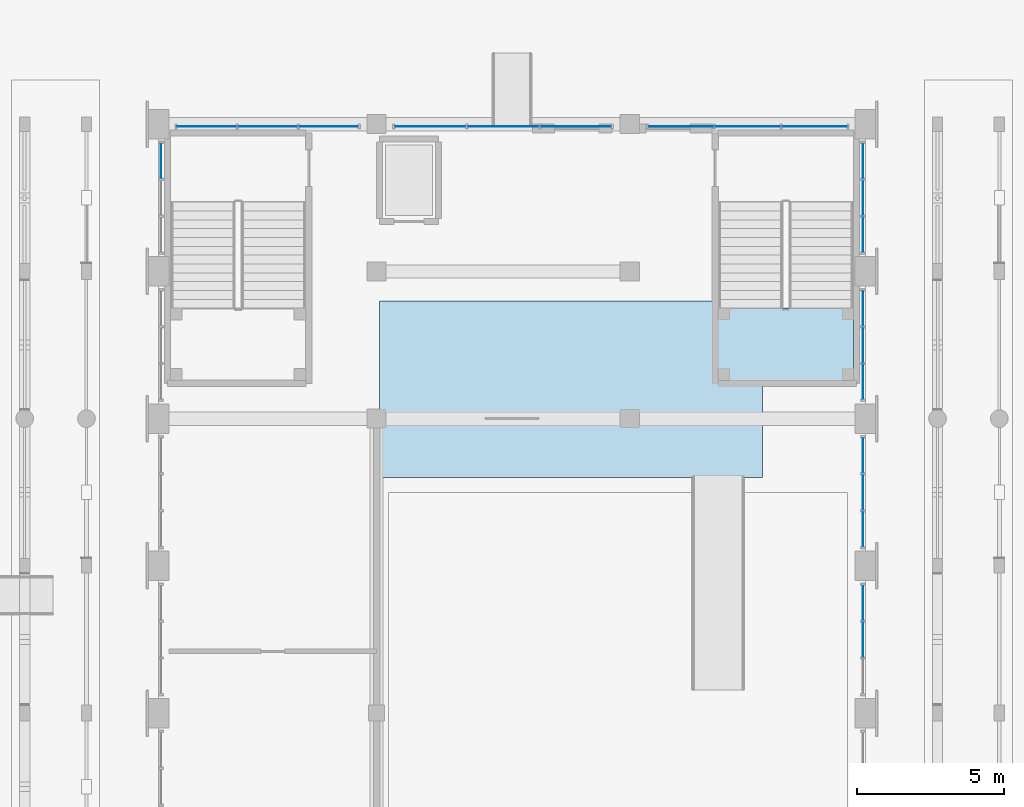
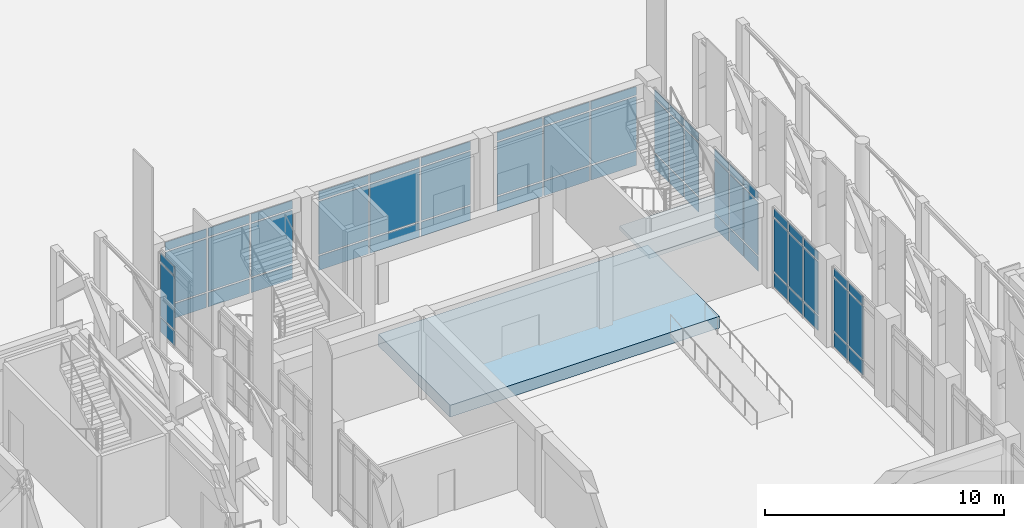
# One storey, part 69 of 135: 63 plates, 2 slabs, 9 elements without a shape of their own.
"""IFC4 building model written with IfcOpenShell, lengths in metres."""

from ifc_helpers import new_model, si_unit, direction, frame, origin, origin_2d, place, context, subcontext, project, spatial, polyline, rectangle, outline, extrude, material, layer, layer_set, type_object, element, aggregate, save


model = new_model("IFC4")

# Units and contexts
model_context = context("Model", 3, precision=1e-05, world=origin(), true_north=direction((0.0, 1.0)))
body_context = subcontext(model_context, "Body", "Model", "MODEL_VIEW")
ifc_project = project(units=[si_unit("LENGTHUNIT", "METRE"), si_unit("AREAUNIT", "SQUARE_METRE"), si_unit("VOLUMEUNIT", "CUBIC_METRE"), si_unit("PLANEANGLEUNIT", "RADIAN"), si_unit("MASSUNIT", "GRAM", prefix="KILO")], contexts=[model_context])

# Site, building, storey
site_placement = place(None, origin())
site = spatial("IfcSite", under=ifc_project, at=site_placement, CompositionType="ELEMENT")
building_placement = place(site_placement, origin())
building = spatial("IfcBuilding", under=site, at=building_placement, Name="Kiranvali Square Residences", CompositionType="ELEMENT")
storey_placement = place(building_placement, origin())
storey = spatial("IfcBuildingStorey", under=building, at=storey_placement, Name="L00", CompositionType="ELEMENT", Elevation=0.0)

# Curtain wall, plates
ifc_material_1 = material(Name="Anodised bronze aluminium framing", Category="aluminium")
curtain_wall_type = type_object("IfcCurtainWallType", Name="CW-CH-GLZ", PredefinedType="USERDEFINED", material=ifc_material_1)
curtain_wall_1_placement = place(storey_placement, origin())
curtain_wall_1 = element("IfcCurtainWall", 1, at=curtain_wall_1_placement, inside=storey, type_object=curtain_wall_type, Name="Community Hall L00 E glazed arcade bay 5", ObjectType="CURTAIN WALL", PredefinedType="USERDEFINED")
ifc_material_2 = material(Name="Solar-control low-e double glazing", Category="glass")
ifc_layer_1 = layer(ifc_material_2, 0.028076171875)
ifc_layer_set_1 = layer_set([ifc_layer_1], Name="Solar-control low-e double glazing")
plate_type_1 = type_object("IfcPlateType", Name="PLT-CW-GLZ", PredefinedType="CURTAIN_PANEL", material=ifc_layer_set_1)
plate_1_placement = place(storey_placement, frame((95.919921875, 66.5, 0.89013671875), z_axis=(0.0, 0.0, 1.0), x_axis=(0.0, 1.0, 0.0)))
plate_1 = element("IfcPlate", 2, at=plate_1_placement, type_object=plate_type_1, Name="CW-CH-L00-E5 glazed panel 2.2", PredefinedType="CURTAIN_PANEL", context=body_context, shape_type="SweptSolid", body=[
    extrude(rectangle(XDim=1.166748046875, YDim=0.028076171875, at=origin_2d()), origin(), (0.0, 0.0, 1.0), 2.699951171875),
])
plate_2_placement = place(storey_placement, frame((95.919921875, 66.5, 3.669921875), z_axis=(0.0, 0.0, 1.0), x_axis=(0.0, 1.0, 0.0)))
plate_2 = element("IfcPlate", 3, at=plate_2_placement, type_object=plate_type_1, Name="CW-CH-L00-E5 glazed panel 2.3", PredefinedType="CURTAIN_PANEL", context=body_context, shape_type="SweptSolid", body=[
    extrude(rectangle(XDim=1.166748046875, YDim=0.028076171875, at=origin_2d()), origin(), (0.0, 0.0, 1.0), 0.429931640625),
])
plate_3_placement = place(storey_placement, frame((95.919921875, 67.74658203125, 0.89013671875), z_axis=(0.0, 0.0, 1.0), x_axis=(0.0, 1.0, 0.0)))
plate_3 = element("IfcPlate", 4, at=plate_3_placement, type_object=plate_type_1, Name="CW-CH-L00-E5 glazed panel 3.2", PredefinedType="CURTAIN_PANEL", context=body_context, shape_type="SweptSolid", body=[
    extrude(rectangle(XDim=1.166748046875, YDim=0.028076171875, at=origin_2d()), origin(), (0.0, 0.0, 1.0), 2.699951171875),
])
plate_4_placement = place(storey_placement, frame((95.919921875, 67.74658203125, 3.669921875), z_axis=(0.0, 0.0, 1.0), x_axis=(0.0, 1.0, 0.0)))
plate_4 = element("IfcPlate", 5, at=plate_4_placement, type_object=plate_type_1, Name="CW-CH-L00-E5 glazed panel 3.3", PredefinedType="CURTAIN_PANEL", context=body_context, shape_type="SweptSolid", body=[
    extrude(rectangle(XDim=1.166748046875, YDim=0.028076171875, at=origin_2d()), origin(), (0.0, 0.0, 1.0), 0.429931640625),
])

curtain_wall_2_placement = place(storey_placement, origin())
curtain_wall_2 = element("IfcCurtainWall", 6, at=curtain_wall_2_placement, inside=storey, type_object=curtain_wall_type, Name="Community Hall L00 E glazed arcade bay 6", ObjectType="CURTAIN WALL", PredefinedType="USERDEFINED")
plate_5_placement = place(storey_placement, frame((95.919921875, 70.25341796875, 0.89013671875), z_axis=(0.0, 0.0, 1.0), x_axis=(0.0, 1.0, 0.0)))
plate_5 = element("IfcPlate", 7, at=plate_5_placement, type_object=plate_type_1, Name="CW-CH-L00-E6 glazed panel 1.2", PredefinedType="CURTAIN_PANEL", context=body_context, shape_type="SweptSolid", body=[
    extrude(rectangle(XDim=1.166748046875, YDim=0.028076171875, at=origin_2d()), origin(), (0.0, 0.0, 1.0), 2.699951171875),
])
plate_6_placement = place(storey_placement, frame((95.919921875, 70.25341796875, 3.669921875), z_axis=(0.0, 0.0, 1.0), x_axis=(0.0, 1.0, 0.0)))
plate_6 = element("IfcPlate", 8, at=plate_6_placement, type_object=plate_type_1, Name="CW-CH-L00-E6 glazed panel 1.3", PredefinedType="CURTAIN_PANEL", context=body_context, shape_type="SweptSolid", body=[
    extrude(rectangle(XDim=1.166748046875, YDim=0.028076171875, at=origin_2d()), origin(), (0.0, 0.0, 1.0), 0.429931640625),
])
plate_7_placement = place(storey_placement, frame((95.919921875, 71.5, 0.89013671875), z_axis=(0.0, 0.0, 1.0), x_axis=(0.0, 1.0, 0.0)))
plate_7 = element("IfcPlate", 9, at=plate_7_placement, type_object=plate_type_1, Name="CW-CH-L00-E6 glazed panel 2.2", PredefinedType="CURTAIN_PANEL", context=body_context, shape_type="SweptSolid", body=[
    extrude(rectangle(XDim=1.166748046875, YDim=0.028076171875, at=origin_2d()), origin(), (0.0, 0.0, 1.0), 2.699951171875),
])
plate_8_placement = place(storey_placement, frame((95.919921875, 71.5, 3.669921875), z_axis=(0.0, 0.0, 1.0), x_axis=(0.0, 1.0, 0.0)))
plate_8 = element("IfcPlate", 10, at=plate_8_placement, type_object=plate_type_1, Name="CW-CH-L00-E6 glazed panel 2.3", PredefinedType="CURTAIN_PANEL", context=body_context, shape_type="SweptSolid", body=[
    extrude(rectangle(XDim=1.166748046875, YDim=0.028076171875, at=origin_2d()), origin(), (0.0, 0.0, 1.0), 0.429931640625),
])
plate_9_placement = place(storey_placement, frame((95.919921875, 72.74658203125, 0.89013671875), z_axis=(0.0, 0.0, 1.0), x_axis=(0.0, 1.0, 0.0)))
plate_9 = element("IfcPlate", 11, at=plate_9_placement, type_object=plate_type_1, Name="CW-CH-L00-E6 glazed panel 3.2", PredefinedType="CURTAIN_PANEL", context=body_context, shape_type="SweptSolid", body=[
    extrude(rectangle(XDim=1.166748046875, YDim=0.028076171875, at=origin_2d()), origin(), (0.0, 0.0, 1.0), 2.699951171875),
])
plate_10_placement = place(storey_placement, frame((95.919921875, 72.74658203125, 3.669921875), z_axis=(0.0, 0.0, 1.0), x_axis=(0.0, 1.0, 0.0)))
plate_10 = element("IfcPlate", 12, at=plate_10_placement, type_object=plate_type_1, Name="CW-CH-L00-E6 glazed panel 3.3", PredefinedType="CURTAIN_PANEL", context=body_context, shape_type="SweptSolid", body=[
    extrude(rectangle(XDim=1.166748046875, YDim=0.028076171875, at=origin_2d()), origin(), (0.0, 0.0, 1.0), 0.429931640625),
])

curtain_wall_3_placement = place(storey_placement, origin())
curtain_wall_3 = element("IfcCurtainWall", 13, at=curtain_wall_3_placement, inside=storey, type_object=curtain_wall_type, Name="Community Hall L00 E glazed arcade bay 7", ObjectType="CURTAIN WALL", PredefinedType="USERDEFINED")
plate_11_placement = place(storey_placement, frame((95.919921875, 75.25341796875, 0.89013671875), z_axis=(0.0, 0.0, 1.0), x_axis=(0.0, 1.0, 0.0)))
plate_11 = element("IfcPlate", 14, at=plate_11_placement, type_object=plate_type_1, Name="CW-CH-L00-E7 glazed panel 1.2", PredefinedType="CURTAIN_PANEL", context=body_context, shape_type="SweptSolid", body=[
    extrude(rectangle(XDim=1.166748046875, YDim=0.028076171875, at=origin_2d()), origin(), (0.0, 0.0, 1.0), 2.699951171875),
])
plate_12_placement = place(storey_placement, frame((95.919921875, 75.25341796875, 3.669921875), z_axis=(0.0, 0.0, 1.0), x_axis=(0.0, 1.0, 0.0)))
plate_12 = element("IfcPlate", 15, at=plate_12_placement, type_object=plate_type_1, Name="CW-CH-L00-E7 glazed panel 1.3", PredefinedType="CURTAIN_PANEL", context=body_context, shape_type="SweptSolid", body=[
    extrude(rectangle(XDim=1.166748046875, YDim=0.028076171875, at=origin_2d()), origin(), (0.0, 0.0, 1.0), 0.429931640625),
])
plate_13_placement = place(storey_placement, frame((95.919921875, 76.5, 0.89013671875), z_axis=(0.0, 0.0, 1.0), x_axis=(0.0, 1.0, 0.0)))
plate_13 = element("IfcPlate", 16, at=plate_13_placement, type_object=plate_type_1, Name="CW-CH-L00-E7 glazed panel 2.2", PredefinedType="CURTAIN_PANEL", context=body_context, shape_type="SweptSolid", body=[
    extrude(rectangle(XDim=1.166748046875, YDim=0.028076171875, at=origin_2d()), origin(), (0.0, 0.0, 1.0), 2.699951171875),
])
plate_14_placement = place(storey_placement, frame((95.919921875, 76.5, 3.669921875), z_axis=(0.0, 0.0, 1.0), x_axis=(0.0, 1.0, 0.0)))
plate_14 = element("IfcPlate", 17, at=plate_14_placement, type_object=plate_type_1, Name="CW-CH-L00-E7 glazed panel 2.3", PredefinedType="CURTAIN_PANEL", context=body_context, shape_type="SweptSolid", body=[
    extrude(rectangle(XDim=1.166748046875, YDim=0.028076171875, at=origin_2d()), origin(), (0.0, 0.0, 1.0), 0.429931640625),
])
plate_15_placement = place(storey_placement, frame((95.919921875, 77.74658203125, 0.89013671875), z_axis=(0.0, 0.0, 1.0), x_axis=(0.0, 1.0, 0.0)))
plate_15 = element("IfcPlate", 18, at=plate_15_placement, type_object=plate_type_1, Name="CW-CH-L00-E7 glazed panel 3.2", PredefinedType="CURTAIN_PANEL", context=body_context, shape_type="SweptSolid", body=[
    extrude(rectangle(XDim=1.166748046875, YDim=0.028076171875, at=origin_2d()), origin(), (0.0, 0.0, 1.0), 2.699951171875),
])
plate_16_placement = place(storey_placement, frame((95.919921875, 77.74658203125, 3.669921875), z_axis=(0.0, 0.0, 1.0), x_axis=(0.0, 1.0, 0.0)))
plate_16 = element("IfcPlate", 19, at=plate_16_placement, type_object=plate_type_1, Name="CW-CH-L00-E7 glazed panel 3.3", PredefinedType="CURTAIN_PANEL", context=body_context, shape_type="SweptSolid", body=[
    extrude(rectangle(XDim=1.166748046875, YDim=0.028076171875, at=origin_2d()), origin(), (0.0, 0.0, 1.0), 0.429931640625),
])

curtain_wall_4_placement = place(storey_placement, origin())
curtain_wall_4 = element("IfcCurtainWall", 20, at=curtain_wall_4_placement, inside=storey, type_object=curtain_wall_type, Name="Community Hall L00 W glazed arcade bay 8", ObjectType="CURTAIN WALL", PredefinedType="USERDEFINED")
plate_17_placement = place(storey_placement, frame((72.080078125, 82.74658203125, 0.89013671875), z_axis=(0.0, 0.0, 1.0), x_axis=(0.0, 1.0, 0.0)))
plate_17 = element("IfcPlate", 21, at=plate_17_placement, type_object=plate_type_1, Name="CW-CH-L00-W8 glazed panel 3.2", PredefinedType="CURTAIN_PANEL", context=body_context, shape_type="SweptSolid", body=[
    extrude(rectangle(XDim=1.166748046875, YDim=0.028076171875, at=origin_2d()), origin(), (0.0, 0.0, 1.0), 2.699951171875),
])
plate_18_placement = place(storey_placement, frame((72.080078125, 82.74658203125, 3.669921875), z_axis=(0.0, 0.0, 1.0), x_axis=(0.0, 1.0, 0.0)))
plate_18 = element("IfcPlate", 22, at=plate_18_placement, type_object=plate_type_1, Name="CW-CH-L00-W8 glazed panel 3.3", PredefinedType="CURTAIN_PANEL", context=body_context, shape_type="SweptSolid", body=[
    extrude(rectangle(XDim=1.166748046875, YDim=0.028076171875, at=origin_2d()), origin(), (0.0, 0.0, 1.0), 0.429931640625),
])

curtain_wall_5_placement = place(storey_placement, origin())
curtain_wall_5 = element("IfcCurtainWall", 23, at=curtain_wall_5_placement, inside=storey, type_object=curtain_wall_type, Name="Community Hall L00 E glazed arcade bay 8", ObjectType="CURTAIN WALL", PredefinedType="USERDEFINED")
plate_19_placement = place(storey_placement, frame((95.919921875, 80.25341796875, 0.89013671875), z_axis=(0.0, 0.0, 1.0), x_axis=(0.0, 1.0, 0.0)))
plate_19 = element("IfcPlate", 24, at=plate_19_placement, type_object=plate_type_1, Name="CW-CH-L00-E8 glazed panel 1.2", PredefinedType="CURTAIN_PANEL", context=body_context, shape_type="SweptSolid", body=[
    extrude(rectangle(XDim=1.166748046875, YDim=0.028076171875, at=origin_2d()), origin(), (0.0, 0.0, 1.0), 2.699951171875),
])
plate_20_placement = place(storey_placement, frame((95.919921875, 80.25341796875, 3.669921875), z_axis=(0.0, 0.0, 1.0), x_axis=(0.0, 1.0, 0.0)))
plate_20 = element("IfcPlate", 25, at=plate_20_placement, type_object=plate_type_1, Name="CW-CH-L00-E8 glazed panel 1.3", PredefinedType="CURTAIN_PANEL", context=body_context, shape_type="SweptSolid", body=[
    extrude(rectangle(XDim=1.166748046875, YDim=0.028076171875, at=origin_2d()), origin(), (0.0, 0.0, 1.0), 0.429931640625),
])
plate_21_placement = place(storey_placement, frame((95.919921875, 81.5, 0.89013671875), z_axis=(0.0, 0.0, 1.0), x_axis=(0.0, 1.0, 0.0)))
plate_21 = element("IfcPlate", 26, at=plate_21_placement, type_object=plate_type_1, Name="CW-CH-L00-E8 glazed panel 2.2", PredefinedType="CURTAIN_PANEL", context=body_context, shape_type="SweptSolid", body=[
    extrude(rectangle(XDim=1.166748046875, YDim=0.028076171875, at=origin_2d()), origin(), (0.0, 0.0, 1.0), 2.699951171875),
])
plate_22_placement = place(storey_placement, frame((95.919921875, 81.5, 3.669921875), z_axis=(0.0, 0.0, 1.0), x_axis=(0.0, 1.0, 0.0)))
plate_22 = element("IfcPlate", 27, at=plate_22_placement, type_object=plate_type_1, Name="CW-CH-L00-E8 glazed panel 2.3", PredefinedType="CURTAIN_PANEL", context=body_context, shape_type="SweptSolid", body=[
    extrude(rectangle(XDim=1.166748046875, YDim=0.028076171875, at=origin_2d()), origin(), (0.0, 0.0, 1.0), 0.429931640625),
])
plate_23_placement = place(storey_placement, frame((95.919921875, 82.74658203125, 0.89013671875), z_axis=(0.0, 0.0, 1.0), x_axis=(0.0, 1.0, 0.0)))
plate_23 = element("IfcPlate", 28, at=plate_23_placement, type_object=plate_type_1, Name="CW-CH-L00-E8 glazed panel 3.2", PredefinedType="CURTAIN_PANEL", context=body_context, shape_type="SweptSolid", body=[
    extrude(rectangle(XDim=1.166748046875, YDim=0.028076171875, at=origin_2d()), origin(), (0.0, 0.0, 1.0), 2.699951171875),
])
plate_24_placement = place(storey_placement, frame((95.919921875, 82.74658203125, 3.669921875), z_axis=(0.0, 0.0, 1.0), x_axis=(0.0, 1.0, 0.0)))
plate_24 = element("IfcPlate", 29, at=plate_24_placement, type_object=plate_type_1, Name="CW-CH-L00-E8 glazed panel 3.3", PredefinedType="CURTAIN_PANEL", context=body_context, shape_type="SweptSolid", body=[
    extrude(rectangle(XDim=1.166748046875, YDim=0.028076171875, at=origin_2d()), origin(), (0.0, 0.0, 1.0), 0.429931640625),
])

curtain_wall_6_placement = place(storey_placement, origin())
curtain_wall_6 = element("IfcCurtainWall", 30, at=curtain_wall_6_placement, inside=storey, type_object=curtain_wall_type, Name="Community Hall N entrance portal bay 1", ObjectType="CURTAIN WALL", PredefinedType="USERDEFINED")
plate_25_placement = place(storey_placement, frame((73.63330078125, 83.919921875, 0.89013671875), z_axis=(0.0, 0.0, 1.0), x_axis=(1.0, 0.0, 0.0)))
plate_25 = element("IfcPlate", 31, at=plate_25_placement, type_object=plate_type_1, Name="CW-CH-GAB-N0-1 glazed panel 1.2", PredefinedType="CURTAIN_PANEL", context=body_context, shape_type="SweptSolid", body=[
    extrude(rectangle(XDim=1.98681640625, YDim=0.028076171875, at=origin_2d()), origin(), (0.0, 0.0, 1.0), 2.699951171875),
])
plate_26_placement = place(storey_placement, frame((73.63330078125, 83.919921875, 3.669921875), z_axis=(0.0, 0.0, 1.0), x_axis=(1.0, 0.0, 0.0)))
plate_26 = element("IfcPlate", 32, at=plate_26_placement, type_object=plate_type_1, Name="CW-CH-GAB-N0-1 glazed panel 1.3", PredefinedType="CURTAIN_PANEL", context=body_context, shape_type="SweptSolid", body=[
    extrude(rectangle(XDim=1.98681640625, YDim=0.028076171875, at=origin_2d()), origin(), (0.0, 0.0, 1.0), 0.429931640625),
])
plate_27_placement = place(storey_placement, frame((75.699951171875, 83.919921875, 0.89013671875), z_axis=(0.0, 0.0, 1.0), x_axis=(1.0, 0.0, 0.0)))
plate_27 = element("IfcPlate", 33, at=plate_27_placement, type_object=plate_type_1, Name="CW-CH-GAB-N0-1 glazed panel 2.2", PredefinedType="CURTAIN_PANEL", context=body_context, shape_type="SweptSolid", body=[
    extrude(rectangle(XDim=1.98681640625, YDim=0.028076171875, at=origin_2d()), origin(), (0.0, 0.0, 1.0), 2.699951171875),
])
plate_28_placement = place(storey_placement, frame((75.699951171875, 83.919921875, 3.669921875), z_axis=(0.0, 0.0, 1.0), x_axis=(1.0, 0.0, 0.0)))
plate_28 = element("IfcPlate", 34, at=plate_28_placement, type_object=plate_type_1, Name="CW-CH-GAB-N0-1 glazed panel 2.3", PredefinedType="CURTAIN_PANEL", context=body_context, shape_type="SweptSolid", body=[
    extrude(rectangle(XDim=1.98681640625, YDim=0.028076171875, at=origin_2d()), origin(), (0.0, 0.0, 1.0), 0.429931640625),
])
plate_29_placement = place(storey_placement, frame((77.7666015625, 83.919921875, 0.89013671875), z_axis=(0.0, 0.0, 1.0), x_axis=(1.0, 0.0, 0.0)))
plate_29 = element("IfcPlate", 35, at=plate_29_placement, type_object=plate_type_1, Name="CW-CH-GAB-N0-1 glazed panel 3.2", PredefinedType="CURTAIN_PANEL", context=body_context, shape_type="SweptSolid", body=[
    extrude(rectangle(XDim=1.98681640625, YDim=0.028076171875, at=origin_2d()), origin(), (0.0, 0.0, 1.0), 2.699951171875),
])
plate_30_placement = place(storey_placement, frame((77.7666015625, 83.919921875, 3.669921875), z_axis=(0.0, 0.0, 1.0), x_axis=(1.0, 0.0, 0.0)))
plate_30 = element("IfcPlate", 36, at=plate_30_placement, type_object=plate_type_1, Name="CW-CH-GAB-N0-1 glazed panel 3.3", PredefinedType="CURTAIN_PANEL", context=body_context, shape_type="SweptSolid", body=[
    extrude(rectangle(XDim=1.98681640625, YDim=0.028076171875, at=origin_2d()), origin(), (0.0, 0.0, 1.0), 0.429931640625),
])

curtain_wall_7_placement = place(storey_placement, origin())
curtain_wall_7 = element("IfcCurtainWall", 37, at=curtain_wall_7_placement, inside=storey, type_object=curtain_wall_type, Name="Community Hall N entrance portal bay 2", ObjectType="CURTAIN WALL", PredefinedType="USERDEFINED")
plate_31_placement = place(storey_placement, frame((81.2333984375, 83.919921875, 0.89013671875), z_axis=(0.0, 0.0, 1.0), x_axis=(1.0, 0.0, 0.0)))
plate_31 = element("IfcPlate", 38, at=plate_31_placement, type_object=plate_type_1, Name="CW-CH-GAB-N0-2 glazed panel 1.2", PredefinedType="CURTAIN_PANEL", context=body_context, shape_type="SweptSolid", body=[
    extrude(rectangle(XDim=2.38671875, YDim=0.028076171875, at=origin_2d()), origin(), (0.0, 0.0, 1.0), 2.699951171875),
])
plate_32_placement = place(storey_placement, frame((81.2333984375, 83.919921875, 3.669921875), z_axis=(0.0, 0.0, 1.0), x_axis=(1.0, 0.0, 0.0)))
plate_32 = element("IfcPlate", 39, at=plate_32_placement, type_object=plate_type_1, Name="CW-CH-GAB-N0-2 glazed panel 1.3", PredefinedType="CURTAIN_PANEL", context=body_context, shape_type="SweptSolid", body=[
    extrude(rectangle(XDim=2.38671875, YDim=0.028076171875, at=origin_2d()), origin(), (0.0, 0.0, 1.0), 0.429931640625),
])
plate_33_placement = place(storey_placement, frame((83.699951171875, 83.919921875, 0.89013671875), z_axis=(0.0, 0.0, 1.0), x_axis=(1.0, 0.0, 0.0)))
plate_33 = element("IfcPlate", 40, at=plate_33_placement, type_object=plate_type_1, Name="CW-CH-GAB-N0-2 glazed panel 2.2", PredefinedType="CURTAIN_PANEL", context=body_context, shape_type="SweptSolid", body=[
    extrude(rectangle(XDim=2.38671875, YDim=0.028076171875, at=origin_2d()), origin(), (0.0, 0.0, 1.0), 2.699951171875),
])
plate_34_placement = place(storey_placement, frame((83.699951171875, 83.919921875, 3.669921875), z_axis=(0.0, 0.0, 1.0), x_axis=(1.0, 0.0, 0.0)))
plate_34 = element("IfcPlate", 41, at=plate_34_placement, type_object=plate_type_1, Name="CW-CH-GAB-N0-2 glazed panel 2.3", PredefinedType="CURTAIN_PANEL", context=body_context, shape_type="SweptSolid", body=[
    extrude(rectangle(XDim=2.38671875, YDim=0.028076171875, at=origin_2d()), origin(), (0.0, 0.0, 1.0), 0.429931640625),
])
plate_35_placement = place(storey_placement, frame((86.166748046875, 83.919921875, 0.89013671875), z_axis=(0.0, 0.0, 1.0), x_axis=(1.0, 0.0, 0.0)))
plate_35 = element("IfcPlate", 42, at=plate_35_placement, type_object=plate_type_1, Name="CW-CH-GAB-N0-2 glazed panel 3.2", PredefinedType="CURTAIN_PANEL", context=body_context, shape_type="SweptSolid", body=[
    extrude(rectangle(XDim=2.38671875, YDim=0.028076171875, at=origin_2d()), origin(), (0.0, 0.0, 1.0), 2.699951171875),
])
plate_36_placement = place(storey_placement, frame((86.166748046875, 83.919921875, 3.669921875), z_axis=(0.0, 0.0, 1.0), x_axis=(1.0, 0.0, 0.0)))
plate_36 = element("IfcPlate", 43, at=plate_36_placement, type_object=plate_type_1, Name="CW-CH-GAB-N0-2 glazed panel 3.3", PredefinedType="CURTAIN_PANEL", context=body_context, shape_type="SweptSolid", body=[
    extrude(rectangle(XDim=2.38671875, YDim=0.028076171875, at=origin_2d()), origin(), (0.0, 0.0, 1.0), 0.429931640625),
])

curtain_wall_8_placement = place(storey_placement, origin())
curtain_wall_8 = element("IfcCurtainWall", 44, at=curtain_wall_8_placement, inside=storey, type_object=curtain_wall_type, Name="Community Hall N entrance portal bay 3", ObjectType="CURTAIN WALL", PredefinedType="USERDEFINED")
plate_37_placement = place(storey_placement, frame((89.7333984375, 83.919921875, 0.89013671875), z_axis=(0.0, 0.0, 1.0), x_axis=(1.0, 0.0, 0.0)))
plate_37 = element("IfcPlate", 45, at=plate_37_placement, type_object=plate_type_1, Name="CW-CH-GAB-N0-3 glazed panel 1.2", PredefinedType="CURTAIN_PANEL", context=body_context, shape_type="SweptSolid", body=[
    extrude(rectangle(XDim=2.186767578125, YDim=0.028076171875, at=origin_2d()), origin(), (0.0, 0.0, 1.0), 2.699951171875),
])
plate_38_placement = place(storey_placement, frame((89.7333984375, 83.919921875, 3.669921875), z_axis=(0.0, 0.0, 1.0), x_axis=(1.0, 0.0, 0.0)))
plate_38 = element("IfcPlate", 46, at=plate_38_placement, type_object=plate_type_1, Name="CW-CH-GAB-N0-3 glazed panel 1.3", PredefinedType="CURTAIN_PANEL", context=body_context, shape_type="SweptSolid", body=[
    extrude(rectangle(XDim=2.186767578125, YDim=0.028076171875, at=origin_2d()), origin(), (0.0, 0.0, 1.0), 0.429931640625),
])
plate_39_placement = place(storey_placement, frame((92.0, 83.919921875, 0.89013671875), z_axis=(0.0, 0.0, 1.0), x_axis=(1.0, 0.0, 0.0)))
plate_39 = element("IfcPlate", 47, at=plate_39_placement, type_object=plate_type_1, Name="CW-CH-GAB-N0-3 glazed panel 2.2", PredefinedType="CURTAIN_PANEL", context=body_context, shape_type="SweptSolid", body=[
    extrude(rectangle(XDim=2.186767578125, YDim=0.028076171875, at=origin_2d()), origin(), (0.0, 0.0, 1.0), 2.699951171875),
])
plate_40_placement = place(storey_placement, frame((92.0, 83.919921875, 3.669921875), z_axis=(0.0, 0.0, 1.0), x_axis=(1.0, 0.0, 0.0)))
plate_40 = element("IfcPlate", 48, at=plate_40_placement, type_object=plate_type_1, Name="CW-CH-GAB-N0-3 glazed panel 2.3", PredefinedType="CURTAIN_PANEL", context=body_context, shape_type="SweptSolid", body=[
    extrude(rectangle(XDim=2.186767578125, YDim=0.028076171875, at=origin_2d()), origin(), (0.0, 0.0, 1.0), 0.429931640625),
])
plate_41_placement = place(storey_placement, frame((94.2666015625, 83.919921875, 0.89013671875), z_axis=(0.0, 0.0, 1.0), x_axis=(1.0, 0.0, 0.0)))
plate_41 = element("IfcPlate", 49, at=plate_41_placement, type_object=plate_type_1, Name="CW-CH-GAB-N0-3 glazed panel 3.2", PredefinedType="CURTAIN_PANEL", context=body_context, shape_type="SweptSolid", body=[
    extrude(rectangle(XDim=2.186767578125, YDim=0.028076171875, at=origin_2d()), origin(), (0.0, 0.0, 1.0), 2.699951171875),
])
plate_42_placement = place(storey_placement, frame((94.2666015625, 83.919921875, 3.669921875), z_axis=(0.0, 0.0, 1.0), x_axis=(1.0, 0.0, 0.0)))
plate_42 = element("IfcPlate", 50, at=plate_42_placement, type_object=plate_type_1, Name="CW-CH-GAB-N0-3 glazed panel 3.3", PredefinedType="CURTAIN_PANEL", context=body_context, shape_type="SweptSolid", body=[
    extrude(rectangle(XDim=2.186767578125, YDim=0.028076171875, at=origin_2d()), origin(), (0.0, 0.0, 1.0), 0.429931640625),
])

# Plate
ifc_material_3 = material(Name="Honed Porbandar limestone ashlar facade cladding", Category="masonry")
ifc_layer_2 = layer(ifc_material_3, 0.02392578125)
ifc_layer_set_2 = layer_set([ifc_layer_2], Name="Honed Porbandar limestone ashlar facade cladding")
plate_type_2 = type_object("IfcPlateType", Name="PLT-CW-SPN", PredefinedType="SHEET", material=ifc_layer_set_2)
plate_43_placement = place(storey_placement, frame((95.919921875, 66.5, 0.080078125), z_axis=(0.0, 0.0, 1.0), x_axis=(0.0, 1.0, 0.0)))
plate_43 = element("IfcPlate", 51, at=plate_43_placement, type_object=plate_type_2, Name="CW-CH-L00-E5 spandrel panel 2.1", PredefinedType="SHEET", context=body_context, shape_type="SweptSolid", body=[
    extrude(rectangle(XDim=1.166748046875, YDim=0.02392578125, at=origin_2d()), origin(), (0.0, 0.0, 1.0), 0.72998046875),
])

plate_44_placement = place(storey_placement, frame((95.919921875, 67.74658203125, 0.080078125), z_axis=(0.0, 0.0, 1.0), x_axis=(0.0, 1.0, 0.0)))
plate_44 = element("IfcPlate", 52, at=plate_44_placement, type_object=plate_type_2, Name="CW-CH-L00-E5 spandrel panel 3.1", PredefinedType="SHEET", context=body_context, shape_type="SweptSolid", body=[
    extrude(rectangle(XDim=1.166748046875, YDim=0.02392578125, at=origin_2d()), origin(), (0.0, 0.0, 1.0), 0.72998046875),
])

aggregate(curtain_wall_1, [plate_43, plate_1, plate_2, plate_44, plate_3, plate_4])

plate_45_placement = place(storey_placement, frame((95.919921875, 70.25341796875, 0.080078125), z_axis=(0.0, 0.0, 1.0), x_axis=(0.0, 1.0, 0.0)))
plate_45 = element("IfcPlate", 53, at=plate_45_placement, type_object=plate_type_2, Name="CW-CH-L00-E6 spandrel panel 1.1", PredefinedType="SHEET", context=body_context, shape_type="SweptSolid", body=[
    extrude(rectangle(XDim=1.166748046875, YDim=0.02392578125, at=origin_2d()), origin(), (0.0, 0.0, 1.0), 0.72998046875),
])

plate_46_placement = place(storey_placement, frame((95.919921875, 71.5, 0.080078125), z_axis=(0.0, 0.0, 1.0), x_axis=(0.0, 1.0, 0.0)))
plate_46 = element("IfcPlate", 54, at=plate_46_placement, type_object=plate_type_2, Name="CW-CH-L00-E6 spandrel panel 2.1", PredefinedType="SHEET", context=body_context, shape_type="SweptSolid", body=[
    extrude(rectangle(XDim=1.166748046875, YDim=0.02392578125, at=origin_2d()), origin(), (0.0, 0.0, 1.0), 0.72998046875),
])

plate_47_placement = place(storey_placement, frame((95.919921875, 72.74658203125, 0.080078125), z_axis=(0.0, 0.0, 1.0), x_axis=(0.0, 1.0, 0.0)))
plate_47 = element("IfcPlate", 55, at=plate_47_placement, type_object=plate_type_2, Name="CW-CH-L00-E6 spandrel panel 3.1", PredefinedType="SHEET", context=body_context, shape_type="SweptSolid", body=[
    extrude(rectangle(XDim=1.166748046875, YDim=0.02392578125, at=origin_2d()), origin(), (0.0, 0.0, 1.0), 0.72998046875),
])

aggregate(curtain_wall_2, [plate_45, plate_5, plate_6, plate_46, plate_7, plate_8, plate_47, plate_9, plate_10])

plate_48_placement = place(storey_placement, frame((95.919921875, 75.25341796875, 0.080078125), z_axis=(0.0, 0.0, 1.0), x_axis=(0.0, 1.0, 0.0)))
plate_48 = element("IfcPlate", 56, at=plate_48_placement, type_object=plate_type_2, Name="CW-CH-L00-E7 spandrel panel 1.1", PredefinedType="SHEET", context=body_context, shape_type="SweptSolid", body=[
    extrude(rectangle(XDim=1.166748046875, YDim=0.02392578125, at=origin_2d()), origin(), (0.0, 0.0, 1.0), 0.72998046875),
])

plate_49_placement = place(storey_placement, frame((95.919921875, 76.5, 0.080078125), z_axis=(0.0, 0.0, 1.0), x_axis=(0.0, 1.0, 0.0)))
plate_49 = element("IfcPlate", 57, at=plate_49_placement, type_object=plate_type_2, Name="CW-CH-L00-E7 spandrel panel 2.1", PredefinedType="SHEET", context=body_context, shape_type="SweptSolid", body=[
    extrude(rectangle(XDim=1.166748046875, YDim=0.02392578125, at=origin_2d()), origin(), (0.0, 0.0, 1.0), 0.72998046875),
])

plate_50_placement = place(storey_placement, frame((95.919921875, 77.74658203125, 0.080078125), z_axis=(0.0, 0.0, 1.0), x_axis=(0.0, 1.0, 0.0)))
plate_50 = element("IfcPlate", 58, at=plate_50_placement, type_object=plate_type_2, Name="CW-CH-L00-E7 spandrel panel 3.1", PredefinedType="SHEET", context=body_context, shape_type="SweptSolid", body=[
    extrude(rectangle(XDim=1.166748046875, YDim=0.02392578125, at=origin_2d()), origin(), (0.0, 0.0, 1.0), 0.72998046875),
])

aggregate(curtain_wall_3, [plate_48, plate_11, plate_12, plate_49, plate_13, plate_14, plate_50, plate_15, plate_16])

plate_51_placement = place(storey_placement, frame((72.080078125, 82.74658203125, 0.080078125), z_axis=(0.0, 0.0, 1.0), x_axis=(0.0, 1.0, 0.0)))
plate_51 = element("IfcPlate", 59, at=plate_51_placement, type_object=plate_type_2, Name="CW-CH-L00-W8 spandrel panel 3.1", PredefinedType="SHEET", context=body_context, shape_type="SweptSolid", body=[
    extrude(rectangle(XDim=1.166748046875, YDim=0.02392578125, at=origin_2d()), origin(), (0.0, 0.0, 1.0), 0.72998046875),
])

aggregate(curtain_wall_4, [plate_51, plate_17, plate_18])

plate_52_placement = place(storey_placement, frame((95.919921875, 80.25341796875, 0.080078125), z_axis=(0.0, 0.0, 1.0), x_axis=(0.0, 1.0, 0.0)))
plate_52 = element("IfcPlate", 60, at=plate_52_placement, type_object=plate_type_2, Name="CW-CH-L00-E8 spandrel panel 1.1", PredefinedType="SHEET", context=body_context, shape_type="SweptSolid", body=[
    extrude(rectangle(XDim=1.166748046875, YDim=0.02392578125, at=origin_2d()), origin(), (0.0, 0.0, 1.0), 0.72998046875),
])

plate_53_placement = place(storey_placement, frame((95.919921875, 81.5, 0.080078125), z_axis=(0.0, 0.0, 1.0), x_axis=(0.0, 1.0, 0.0)))
plate_53 = element("IfcPlate", 61, at=plate_53_placement, type_object=plate_type_2, Name="CW-CH-L00-E8 spandrel panel 2.1", PredefinedType="SHEET", context=body_context, shape_type="SweptSolid", body=[
    extrude(rectangle(XDim=1.166748046875, YDim=0.02392578125, at=origin_2d()), origin(), (0.0, 0.0, 1.0), 0.72998046875),
])

plate_54_placement = place(storey_placement, frame((95.919921875, 82.74658203125, 0.080078125), z_axis=(0.0, 0.0, 1.0), x_axis=(0.0, 1.0, 0.0)))
plate_54 = element("IfcPlate", 62, at=plate_54_placement, type_object=plate_type_2, Name="CW-CH-L00-E8 spandrel panel 3.1", PredefinedType="SHEET", context=body_context, shape_type="SweptSolid", body=[
    extrude(rectangle(XDim=1.166748046875, YDim=0.02392578125, at=origin_2d()), origin(), (0.0, 0.0, 1.0), 0.72998046875),
])

aggregate(curtain_wall_5, [plate_52, plate_19, plate_20, plate_53, plate_21, plate_22, plate_54, plate_23, plate_24])

plate_55_placement = place(storey_placement, frame((73.63330078125, 83.919921875, 0.080078125), z_axis=(0.0, 0.0, 1.0), x_axis=(1.0, 0.0, 0.0)))
plate_55 = element("IfcPlate", 63, at=plate_55_placement, type_object=plate_type_2, Name="CW-CH-GAB-N0-1 spandrel panel 1.1", PredefinedType="SHEET", context=body_context, shape_type="SweptSolid", body=[
    extrude(rectangle(XDim=1.98681640625, YDim=0.02392578125, at=origin_2d()), origin(), (0.0, 0.0, 1.0), 0.72998046875),
])

plate_56_placement = place(storey_placement, frame((75.699951171875, 83.919921875, 0.080078125), z_axis=(0.0, 0.0, 1.0), x_axis=(1.0, 0.0, 0.0)))
plate_56 = element("IfcPlate", 64, at=plate_56_placement, type_object=plate_type_2, Name="CW-CH-GAB-N0-1 spandrel panel 2.1", PredefinedType="SHEET", context=body_context, shape_type="SweptSolid", body=[
    extrude(rectangle(XDim=1.98681640625, YDim=0.02392578125, at=origin_2d()), origin(), (0.0, 0.0, 1.0), 0.72998046875),
])

plate_57_placement = place(storey_placement, frame((77.7666015625, 83.919921875, 0.080078125), z_axis=(0.0, 0.0, 1.0), x_axis=(1.0, 0.0, 0.0)))
plate_57 = element("IfcPlate", 65, at=plate_57_placement, type_object=plate_type_2, Name="CW-CH-GAB-N0-1 spandrel panel 3.1", PredefinedType="SHEET", context=body_context, shape_type="SweptSolid", body=[
    extrude(rectangle(XDim=1.98681640625, YDim=0.02392578125, at=origin_2d()), origin(), (0.0, 0.0, 1.0), 0.72998046875),
])

aggregate(curtain_wall_6, [plate_55, plate_25, plate_26, plate_56, plate_27, plate_28, plate_57, plate_29, plate_30])

plate_58_placement = place(storey_placement, frame((81.2333984375, 83.919921875, 0.080078125), z_axis=(0.0, 0.0, 1.0), x_axis=(1.0, 0.0, 0.0)))
plate_58 = element("IfcPlate", 66, at=plate_58_placement, type_object=plate_type_2, Name="CW-CH-GAB-N0-2 spandrel panel 1.1", PredefinedType="SHEET", context=body_context, shape_type="SweptSolid", body=[
    extrude(rectangle(XDim=2.38671875, YDim=0.02392578125, at=origin_2d()), origin(), (0.0, 0.0, 1.0), 0.72998046875),
])

plate_59_placement = place(storey_placement, frame((83.699951171875, 83.919921875, 0.080078125), z_axis=(0.0, 0.0, 1.0), x_axis=(1.0, 0.0, 0.0)))
plate_59 = element("IfcPlate", 67, at=plate_59_placement, type_object=plate_type_2, Name="CW-CH-GAB-N0-2 spandrel panel 2.1", PredefinedType="SHEET", context=body_context, shape_type="SweptSolid", body=[
    extrude(rectangle(XDim=2.38671875, YDim=0.02392578125, at=origin_2d()), origin(), (0.0, 0.0, 1.0), 0.72998046875),
])

plate_60_placement = place(storey_placement, frame((86.166748046875, 83.919921875, 0.080078125), z_axis=(0.0, 0.0, 1.0), x_axis=(1.0, 0.0, 0.0)))
plate_60 = element("IfcPlate", 68, at=plate_60_placement, type_object=plate_type_2, Name="CW-CH-GAB-N0-2 spandrel panel 3.1", PredefinedType="SHEET", context=body_context, shape_type="SweptSolid", body=[
    extrude(rectangle(XDim=2.38671875, YDim=0.02392578125, at=origin_2d()), origin(), (0.0, 0.0, 1.0), 0.72998046875),
])

aggregate(curtain_wall_7, [plate_58, plate_31, plate_32, plate_59, plate_33, plate_34, plate_60, plate_35, plate_36])

plate_61_placement = place(storey_placement, frame((89.7333984375, 83.919921875, 0.080078125), z_axis=(0.0, 0.0, 1.0), x_axis=(1.0, 0.0, 0.0)))
plate_61 = element("IfcPlate", 69, at=plate_61_placement, type_object=plate_type_2, Name="CW-CH-GAB-N0-3 spandrel panel 1.1", PredefinedType="SHEET", context=body_context, shape_type="SweptSolid", body=[
    extrude(rectangle(XDim=2.186767578125, YDim=0.02392578125, at=origin_2d()), origin(), (0.0, 0.0, 1.0), 0.72998046875),
])

plate_62_placement = place(storey_placement, frame((92.0, 83.919921875, 0.080078125), z_axis=(0.0, 0.0, 1.0), x_axis=(1.0, 0.0, 0.0)))
plate_62 = element("IfcPlate", 70, at=plate_62_placement, type_object=plate_type_2, Name="CW-CH-GAB-N0-3 spandrel panel 2.1", PredefinedType="SHEET", context=body_context, shape_type="SweptSolid", body=[
    extrude(rectangle(XDim=2.186767578125, YDim=0.02392578125, at=origin_2d()), origin(), (0.0, 0.0, 1.0), 0.72998046875),
])

plate_63_placement = place(storey_placement, frame((94.2666015625, 83.919921875, 0.080078125), z_axis=(0.0, 0.0, 1.0), x_axis=(1.0, 0.0, 0.0)))
plate_63 = element("IfcPlate", 71, at=plate_63_placement, type_object=plate_type_2, Name="CW-CH-GAB-N0-3 spandrel panel 3.1", PredefinedType="SHEET", context=body_context, shape_type="SweptSolid", body=[
    extrude(rectangle(XDim=2.186767578125, YDim=0.02392578125, at=origin_2d()), origin(), (0.0, 0.0, 1.0), 0.72998046875),
])

aggregate(curtain_wall_8, [plate_61, plate_37, plate_38, plate_62, plate_39, plate_40, plate_63, plate_41, plate_42])

# Stair, slab
ifc_material_4 = material(Name="Concrete M35 (35 MPa)", Category="concrete")
stair_type = type_object("IfcStairType", Name="ST-ASM-2200", PredefinedType="HALF_TURN_STAIR", material=ifc_material_4)
stair_placement = place(storey_placement, origin())
stair = element("IfcStair", 72, at=stair_placement, inside=storey, type_object=stair_type, Name="L00 Community Hall Assembly Stair 2", PredefinedType="HALF_TURN_STAIR")
ifc_layer_3 = layer(ifc_material_4, 0.219970703125)
ifc_layer_set_3 = layer_set([ifc_layer_3], Name="Concrete M35 (35 MPa)")
slab_type_1 = type_object("IfcSlabType", Name="SLB-LND-220", PredefinedType="LANDING", material=ifc_layer_set_3)
slab_1_placement = place(storey_placement, frame((0.0, 0.0, 2.050048828125)))
slab_1 = element("IfcSlab", 73, at=slab_1_placement, type_object=slab_type_1, Name="ST-CH2 landing 1", PredefinedType="LANDING", context=body_context, shape_type="SweptSolid", body=[
    extrude(outline(polyline([(91.0, 77.75), (91.0, 75.300048828125), (95.60009765625, 75.300048828125), (95.60009765625, 77.75), (91.0, 77.75)])), origin(), (0.0, 0.0, 1.0), 0.199951171875),
])
aggregate(stair, [slab_1])

# Slab
ifc_layer_4 = layer(ifc_material_4, 0.280029296875)
ifc_layer_set_4 = layer_set([ifc_layer_4], Name="Concrete M35 (35 MPa)")
slab_type_2 = type_object("IfcSlabType", Name="SLB-STG-280", PredefinedType="FLOOR", material=ifc_layer_set_4)
slab_2_placement = place(storey_placement, origin())
element("IfcSlab", 74, at=slab_2_placement, inside=storey, type_object=slab_type_2, Name="Community Hall raised performance stage slab", PredefinedType="FLOOR", context=body_context, shape_type="SweptSolid", body=[
    extrude(outline(polyline([(79.5, 72.0), (92.5, 72.0), (92.5, 78.0), (79.5, 78.0), (79.5, 72.0)])), origin(), (0.0, 0.0, 1.0), 0.60009765625),
])

save(model, "model.ifc")
